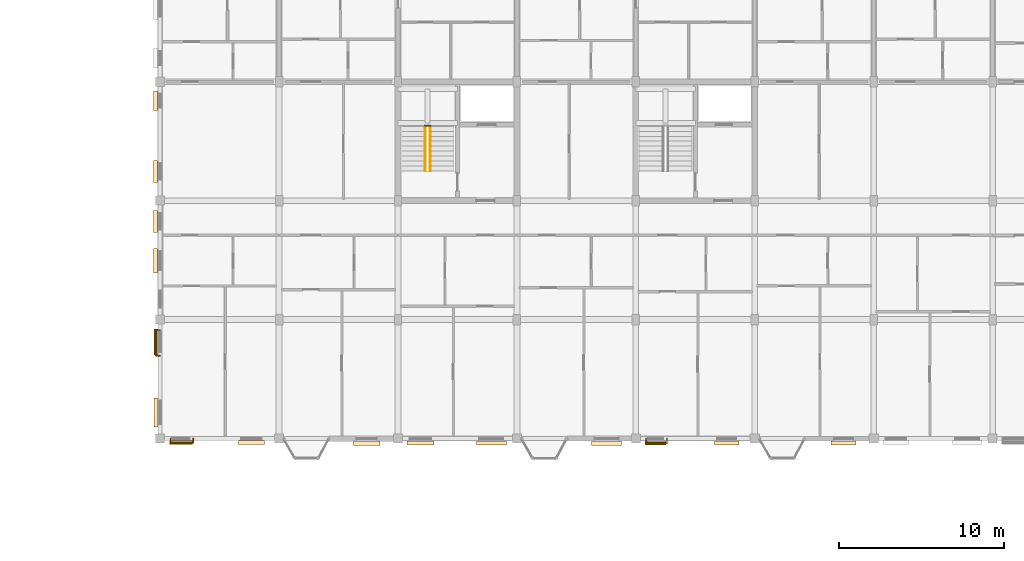
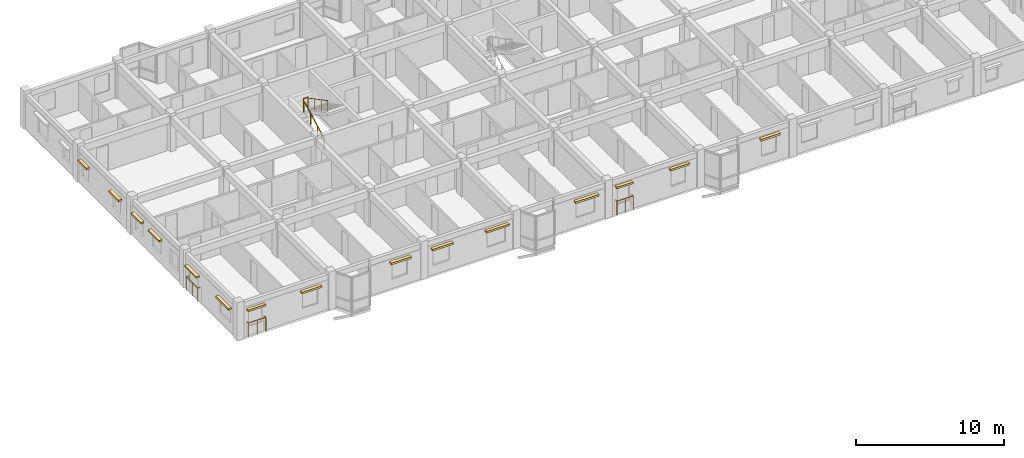
# One storey, part 72 of 75: 15 coverings, 6 railings.
"""IFC4 building model written with IfcOpenShell, lengths in metres."""

import ifcopenshell
import ifcopenshell.guid

model = None  # the IFC model being written
_history = None  # IfcOwnerHistory: only IFC2X3 demands one
_inside = {}  # id of a spatial element -> (the spatial element, [elements in it])
_under = {}  # id of a project, library or spatial element -> (it, [spatial elements below it])
_declared = {}  # id of a project -> (the project, [libraries it declares])
_typed = {}  # id of a type object -> (the type object, [elements of that type])
_made_of = {}  # id of a material, layer set ... -> (it, [elements and type objects made of it])


def new_model(schema):
    """Start an empty IFC model of exactly this schema.

    Asked for "IFC4X3", IfcOpenShell would pick the latest addendum, in which some entities
    have other attributes; the version numbers below select the first issue.
    IFC2X3 requires an IfcOwnerHistory on every rooted entity: one is made here for all.
    """
    global model, _history
    if schema == "IFC4X3":
        model = ifcopenshell.file(schema_version=(4, 3, 0, 0))
    else:
        model = ifcopenshell.file(schema=schema)
    _inside.clear()
    _under.clear()
    _declared.clear()
    _typed.clear()
    _made_of.clear()
    _history = None
    if model.schema == "IFC2X3":
        org = make("IfcOrganization", Name="unknown")
        user = make(
            "IfcPersonAndOrganization",
            ThePerson=make("IfcPerson", FamilyName="unknown"),
            TheOrganization=org,
        )
        app = make(
            "IfcApplication",
            ApplicationDeveloper=org,
            Version="unknown",
            ApplicationFullName="unknown",
            ApplicationIdentifier="unknown",
        )
        _history = make(
            "IfcOwnerHistory",
            OwningUser=user,
            OwningApplication=app,
            ChangeAction="ADDED",
            CreationDate=0,
        )
    return model


def make(cls, **values):
    """One entity of the class cls with the attributes given. An attribute that is None is left unset."""
    return model.create_entity(
        cls, **{name: value for name, value in values.items() if value is not None}
    )


def rooted(cls, **values):
    """An entity with a GlobalId (a new one), such as an element, a storey or a relation."""
    return make(cls, GlobalId=ifcopenshell.guid.new(), OwnerHistory=_history, **values)


def si_unit(unit_type, name, prefix=None):
    """IfcSIUnit, for example si_unit("LENGTHUNIT", "METRE", prefix="MILLI")."""
    return make("IfcSIUnit", UnitType=unit_type, Prefix=prefix, Name=name)


def assignment(units):
    """IfcUnitAssignment: the units of a project."""
    return None if units is None else make("IfcUnitAssignment", Units=units)


def point(xyz):
    """IfcCartesianPoint."""
    return None if xyz is None else make("IfcCartesianPoint", Coordinates=xyz)


def direction(xyz):
    """IfcDirection."""
    return None if xyz is None else make("IfcDirection", DirectionRatios=xyz)


def frame(location, z_axis=None, x_axis=None):
    """IfcAxis2Placement3D, a coordinate frame: its origin and axes. An axis left out is left unset."""
    return make(
        "IfcAxis2Placement3D",
        Location=point(location),
        Axis=direction(z_axis),
        RefDirection=direction(x_axis),
    )


def frame_2d(location, x_axis=None):
    """IfcAxis2Placement2D, a coordinate frame in the plane: its origin and x axis."""
    return make(
        "IfcAxis2Placement2D", Location=point(location), RefDirection=direction(x_axis)
    )


def origin():
    """The frame at (0, 0, 0) with its axes left unset."""
    return frame((0.0, 0.0, 0.0))


def origin_2d():
    """The frame at (0, 0) in the plane with its x axis left unset."""
    return frame_2d((0.0, 0.0))


def place(relative_to, where):
    """IfcLocalPlacement: puts the frame where relative to a parent placement (None: the world)."""
    return make(
        "IfcLocalPlacement", PlacementRelTo=relative_to, RelativePlacement=where
    )


def context(
    kind, dimensions, precision=None, world=None, true_north=None, identifier=None
):
    """IfcGeometricRepresentationContext, for example the 3D "Model" context."""
    return make(
        "IfcGeometricRepresentationContext",
        ContextIdentifier=identifier,
        ContextType=kind,
        CoordinateSpaceDimension=dimensions,
        Precision=precision,
        WorldCoordinateSystem=world,
        TrueNorth=true_north,
    )


def subcontext(parent, identifier, kind, view, scale=None):
    """IfcGeometricRepresentationSubContext, for example "Body" below "Model"."""
    return make(
        "IfcGeometricRepresentationSubContext",
        ContextIdentifier=identifier,
        ContextType=kind,
        ParentContext=parent,
        TargetScale=scale,
        TargetView=view,
    )


def project(units=None, contexts=None):
    """IfcProject with its units and contexts."""
    return rooted(
        "IfcProject",
        Name="project",
        RepresentationContexts=contexts,
        UnitsInContext=assignment(units),
    )


def spatial(cls, under=None, at=None, **own):
    """A site, building, storey or space (cls), placed at a placement, below another one or the project."""
    s = rooted(cls, ObjectPlacement=at, **own)
    if under is not None:
        _under.setdefault(under.id(), (under, []))[1].append(s)
    return s


def profile(cls, at=None, kind="AREA", **sizes):
    """A parametric profile (cls). Its sizes go by their IFC names, for example OverallWidth=200.0."""
    return make(cls, ProfileType=kind, Position=at, **sizes)


def rectangle(**sizes):
    """IfcRectangleProfileDef."""
    return profile("IfcRectangleProfileDef", **sizes)


def circle(**sizes):
    """IfcCircleProfileDef."""
    return profile("IfcCircleProfileDef", **sizes)


def extrude(swept, where, along, depth):
    """IfcExtrudedAreaSolid: the profile swept, set in the frame where, extruded along a direction by depth."""
    return make(
        "IfcExtrudedAreaSolid",
        SweptArea=swept,
        Position=where,
        ExtrudedDirection=direction(along),
        Depth=depth,
    )


def shape(context_of_items, identifier, shape_type, items):
    """IfcShapeRepresentation: the items that make up one representation, for example the "Body"."""
    return make(
        "IfcShapeRepresentation",
        ContextOfItems=context_of_items,
        RepresentationIdentifier=identifier,
        RepresentationType=shape_type,
        Items=items,
    )


def material(Name=None, Category=None):
    """IfcMaterial."""
    return make("IfcMaterial", Name=Name, Category=Category)


def layer(
    of_material, thickness, ventilated=None, Name=None, Category=None, Priority=None
):
    """IfcMaterialLayer: one layer of a wall or slab, of a material (None: an air gap)."""
    return make(
        "IfcMaterialLayer",
        Material=of_material,
        LayerThickness=thickness,
        IsVentilated=ventilated,
        Name=Name,
        Category=Category,
        Priority=Priority,
    )


def layer_set(layers, Name=None):
    """IfcMaterialLayerSet."""
    return make("IfcMaterialLayerSet", MaterialLayers=layers, LayerSetName=Name)


def made_of(thing, what):
    """Note that an element or type object is made of a material, layer set ...; save() writes the relation."""
    if what is not None:
        _made_of.setdefault(what.id(), (what, []))[1].append(thing)
    return thing


def type_object(cls, material=None, **own):
    """A type object (cls), such as IfcWallType, which elements share."""
    return made_of(rooted(cls, **own), material)


def element(
    cls,
    number,
    at=None,
    inside=None,
    cuts=None,
    type_object=None,
    material=None,
    context=None,
    identifier="Body",
    shape_type=None,
    held_by="IfcProductDefinitionShape",
    body=None,
    shapes=None,
    **own,
):
    """One element of the class cls, such as IfcWall. Its Tag is "e" and its number.

    at: its placement. inside: the storey or other place that contains it. cuts: it is an
    opening in that element (IfcRelVoidsElement). A single representation is given by context,
    identifier, shape_type and body (its items); several are given by shapes. held_by: the class
    of the entity that holds the representations. save() writes the other relations.
    """
    e = rooted(cls, Tag="e%d" % number, ObjectPlacement=at, **own)
    if body is not None:
        shapes = [shape(context, identifier, shape_type, body)]
    if shapes is not None:
        e.Representation = make(held_by, Representations=shapes)
    if inside is not None:
        _inside.setdefault(inside.id(), (inside, []))[1].append(e)
    if cuts is not None:
        rooted(
            "IfcRelVoidsElement", RelatingBuildingElement=cuts, RelatedOpeningElement=e
        )
    if type_object is not None:
        _typed.setdefault(type_object.id(), (type_object, []))[1].append(e)
    return made_of(e, material)


def aggregate(whole, parts):
    """IfcRelAggregates: a whole, such as a stair, and the parts it consists of."""
    return rooted("IfcRelAggregates", RelatingObject=whole, RelatedObjects=parts)


def save(model, path):
    """Write the relations noted so far, then the file.

    IfcRelAggregates (storeys below a building ...), IfcRelContainedInSpatialStructure (elements
    in a storey), IfcRelDefinesByType, IfcRelAssociatesMaterial and IfcRelDeclares: one each for
    every whole, place, type object, material and project.
    """
    for whole, parts in _under.values():
        aggregate(whole, parts)
    for where, things in _inside.values():
        rooted(
            "IfcRelContainedInSpatialStructure",
            RelatedElements=things,
            RelatingStructure=where,
        )
    for kind, things in _typed.values():
        rooted("IfcRelDefinesByType", RelatedObjects=things, RelatingType=kind)
    for what, things in _made_of.values():
        rooted("IfcRelAssociatesMaterial", RelatedObjects=things, RelatingMaterial=what)
    for by, libraries in _declared.values():
        rooted("IfcRelDeclares", RelatingContext=by, RelatedDefinitions=libraries)
    model.write(path)


model = new_model("IFC4")

# Units and contexts
model_context = context("Model", 3, precision=1e-05, world=origin(), true_north=direction((0.0, 1.0)))
body_context = subcontext(model_context, "Body", "Model", "MODEL_VIEW")
ifc_project = project(units=[si_unit("LENGTHUNIT", "METRE"), si_unit("AREAUNIT", "SQUARE_METRE"), si_unit("VOLUMEUNIT", "CUBIC_METRE"), si_unit("PLANEANGLEUNIT", "RADIAN"), si_unit("MASSUNIT", "GRAM", prefix="KILO"), si_unit("THERMODYNAMICTEMPERATUREUNIT", "KELVIN"), si_unit("POWERUNIT", "WATT")], contexts=[model_context])

# Site, building, storey
site_placement = place(None, origin())
site = spatial("IfcSite", under=ifc_project, at=site_placement, CompositionType="ELEMENT")
building_placement = place(site_placement, origin())
building = spatial("IfcBuilding", under=site, at=building_placement, Name="Tavuni Mirador Residences", CompositionType="ELEMENT")
storey_placement = place(building_placement, frame((0.0, 0.0, 20.25)))
storey = spatial("IfcBuildingStorey", under=building, at=storey_placement, Name="L06", CompositionType="ELEMENT", Elevation=20.25)

# Coverings
ifc_material_1 = material(Name="Natural coral limestone", Category="masonry")
ifc_layer = layer(ifc_material_1, 0.054931640625, Name="Natural coral limestone", Category="masonry")
ifc_layer_set = layer_set([ifc_layer], Name="Natural coral limestone")
covering_type = type_object("IfcCoveringType", Name="CVT-CLAD-CORAL", PredefinedType="CLADDING", material=ifc_layer_set)
covering_1_placement = place(storey_placement, frame((12.054931640625, 143.755615234375, 2.1650390625), z_axis=(0.0, 0.0, 1.0), x_axis=(1.0, 0.0, 0.0)))
element("IfcCovering", 1, at=covering_1_placement, inside=storey, type_object=covering_type, Name="HOOD-0662", PredefinedType="CLADDING", context=body_context, shape_type="SweptSolid", body=[
    extrude(rectangle(XDim=1.39990234375, YDim=0.25, at=origin_2d()), origin(), (0.0, 0.0, 1.0), 0.14990234375),
])
covering_2_placement = place(storey_placement, frame((16.3349609375, 143.755615234375, 2.1650390625), z_axis=(0.0, 0.0, 1.0), x_axis=(1.0, 0.0, 0.0)))
element("IfcCovering", 2, at=covering_2_placement, inside=storey, type_object=covering_type, Name="HOOD-0663", PredefinedType="CLADDING", context=body_context, shape_type="SweptSolid", body=[
    extrude(rectangle(XDim=1.56005859375, YDim=0.25, at=origin_2d()), origin(), (0.0, 0.0, 1.0), 0.14990234375),
])
covering_3_placement = place(storey_placement, frame((23.3076171875, 143.7080078125, 2.16015625), z_axis=(0.0, 0.0, 1.0), x_axis=(1.0, 0.0, 0.0)))
element("IfcCovering", 3, at=covering_3_placement, inside=storey, type_object=covering_type, Name="HOOD-0664", PredefinedType="CLADDING", context=body_context, shape_type="SweptSolid", body=[
    extrude(rectangle(XDim=1.580078125, YDim=0.260009765625, at=origin_2d()), origin(), (0.0, 0.0, 1.0), 0.159912109375),
])
covering_4_placement = place(storey_placement, frame((26.574951171875, 143.720458984375, 2.1650390625), z_axis=(0.0, 0.0, 1.0), x_axis=(1.0, 0.0, 0.0)))
element("IfcCovering", 4, at=covering_4_placement, inside=storey, type_object=covering_type, Name="HOOD-0665", PredefinedType="CLADDING", context=body_context, shape_type="SweptSolid", body=[
    extrude(rectangle(XDim=1.639892578125, YDim=0.25, at=origin_2d()), origin(), (0.0, 0.0, 1.0), 0.14990234375),
])
covering_5_placement = place(storey_placement, frame((30.85498046875, 143.720458984375, 2.1650390625), z_axis=(0.0, 0.0, 1.0), x_axis=(1.0, 0.0, 0.0)))
element("IfcCovering", 5, at=covering_5_placement, inside=storey, type_object=covering_type, Name="HOOD-0666", PredefinedType="CLADDING", context=body_context, shape_type="SweptSolid", body=[
    extrude(rectangle(XDim=1.800048828125, YDim=0.25, at=origin_2d()), origin(), (0.0, 0.0, 1.0), 0.14990234375),
])
covering_6_placement = place(storey_placement, frame((37.83251953125, 143.720458984375, 2.16015625), z_axis=(0.0, 0.0, 1.0), x_axis=(1.0, 0.0, 0.0)))
element("IfcCovering", 6, at=covering_6_placement, inside=storey, type_object=covering_type, Name="HOOD-0667", PredefinedType="CLADDING", context=body_context, shape_type="SweptSolid", body=[
    extrude(rectangle(XDim=1.820068359375, YDim=0.260009765625, at=origin_2d()), origin(), (0.0, 0.0, 1.0), 0.159912109375),
])
covering_7_placement = place(storey_placement, frame((40.794921875, 143.73291015625, 2.2451171875), z_axis=(0.0, 0.0, 1.0), x_axis=(1.0, 0.0, 0.0)))
element("IfcCovering", 7, at=covering_7_placement, inside=storey, type_object=covering_type, Name="HOOD-0668", PredefinedType="CLADDING", context=body_context, shape_type="SweptSolid", body=[
    extrude(rectangle(XDim=1.280029296875, YDim=0.25, at=origin_2d()), origin(), (0.0, 0.0, 1.0), 0.14990234375),
])
covering_8_placement = place(storey_placement, frame((45.10009765625, 143.73291015625, 2.2451171875), z_axis=(0.0, 0.0, 1.0), x_axis=(1.0, 0.0, 0.0)))
element("IfcCovering", 8, at=covering_8_placement, inside=storey, type_object=covering_type, Name="HOOD-0669", PredefinedType="CLADDING", context=body_context, shape_type="SweptSolid", body=[
    extrude(rectangle(XDim=1.489990234375, YDim=0.25, at=origin_2d()), origin(), (0.0, 0.0, 1.0), 0.14990234375),
])
covering_9_placement = place(storey_placement, frame((52.1826171875, 143.735595703125, 2.240234375), z_axis=(0.0, 0.0, 1.0), x_axis=(1.0, 0.0, 0.0)))
element("IfcCovering", 9, at=covering_9_placement, inside=storey, type_object=covering_type, Name="HOOD-0670", PredefinedType="CLADDING", context=body_context, shape_type="SweptSolid", body=[
    extrude(rectangle(XDim=1.510009765625, YDim=0.260009765625, at=origin_2d()), origin(), (0.0, 0.0, 1.0), 0.159912109375),
])
covering_10_placement = place(storey_placement, frame((10.5205078125, 164.449951171875, 1.955078125), z_axis=(0.0, 0.0, 1.0), x_axis=(0.0, -1.0, 0.0)))
element("IfcCovering", 10, at=covering_10_placement, inside=storey, type_object=covering_type, Name="HOOD-0703", PredefinedType="CLADDING", context=body_context, shape_type="SweptSolid", body=[
    extrude(rectangle(XDim=1.18994140625, YDim=0.25, at=origin_2d()), origin(), (0.0, 0.0, 1.0), 0.14990234375),
])
for number, where, z_axis, x_axis, name in (
    (11, (10.5205078125, 160.175048828125, 1.955078125), (0.0, 0.0, 1.0), (0.0, -1.0, 0.0), "HOOD-0704"),
    (12, (10.512939453125, 157.142578125, 1.955078125), (0.0, 0.0, 1.0), (0.0, -1.0, 0.0), "HOOD-0705"),
):
    element("IfcCovering", number, at=place(storey_placement, frame(where, z_axis=z_axis, x_axis=x_axis)), inside=storey, type_object=covering_type, Name=name, PredefinedType="CLADDING", context=body_context, shape_type="SweptSolid", body=[
        extrude(rectangle(XDim=1.340087890625, YDim=0.25, at=origin_2d()), origin(), (0.0, 0.0, 1.0), 0.14990234375),
    ])
covering_11_placement = place(storey_placement, frame((10.512939453125, 154.77001953125, 1.955078125), z_axis=(0.0, 0.0, 1.0), x_axis=(0.0, -1.0, 0.0)))
element("IfcCovering", 13, at=covering_11_placement, inside=storey, type_object=covering_type, Name="HOOD-0706", PredefinedType="CLADDING", context=body_context, shape_type="SweptSolid", body=[
    extrude(rectangle(XDim=1.5, YDim=0.25, at=origin_2d()), origin(), (0.0, 0.0, 1.0), 0.14990234375),
])
covering_12_placement = place(storey_placement, frame((10.555419921875, 149.85498046875, 1.955078125), z_axis=(0.0, 0.0, 1.0), x_axis=(0.0, -1.0, 0.0)))
element("IfcCovering", 14, at=covering_12_placement, inside=storey, type_object=covering_type, Name="HOOD-0707", PredefinedType="CLADDING", context=body_context, shape_type="SweptSolid", body=[
    extrude(rectangle(XDim=1.580078125, YDim=0.25, at=origin_2d()), origin(), (0.0, 0.0, 1.0), 0.14990234375),
])
covering_13_placement = place(storey_placement, frame((10.555419921875, 145.574951171875, 1.955078125), z_axis=(0.0, 0.0, 1.0), x_axis=(0.0, -1.0, 0.0)))
element("IfcCovering", 15, at=covering_13_placement, inside=storey, type_object=covering_type, Name="HOOD-0708", PredefinedType="CLADDING", context=body_context, shape_type="SweptSolid", body=[
    extrude(rectangle(XDim=1.739990234375, YDim=0.25, at=origin_2d()), origin(), (0.0, 0.0, 1.0), 0.14990234375),
])

# Railings
ifc_material_2 = material(Name="Structural steel S355", Category="steel")
railing_type_1 = type_object("IfcRailingType", Name="RT-BL1150", PredefinedType="BALUSTRADE", material=ifc_material_2)
railing_1_placement = place(storey_placement, frame((11.425048828125, 144.0, 0.0400390625)))
element("IfcRailing", 16, at=railing_1_placement, inside=storey, type_object=railing_type_1, Name="BALC-BLK-C-L06-S00", PredefinedType="BALUSTRADE", context=body_context, shape_type="SweptSolid", body=[
    extrude(circle(Radius=0.02392578125, at=origin_2d()), frame((0.0, 0.0, 1.1259765625), z_axis=(0.0, -1.0, 0.0), x_axis=(1.0, 0.0, 0.0)), (0.0, 0.0, 1.0), 0.262451171875),
    extrude(circle(Radius=0.02392578125, at=origin_2d()), frame((0.0, -0.262451171875, 1.1259765625), z_axis=(1.0, 0.0, 0.0), x_axis=(0.0, 1.0, 0.0)), (0.0, 0.0, 1.0), 1.3798828125),
    extrude(circle(Radius=0.02392578125, at=origin_2d()), frame((1.3798828125, -0.262451171875, 1.1259765625), z_axis=(0.0, 1.0, 0.0), x_axis=(-1.0, 0.0, 0.0)), (0.0, 0.0, 1.0), 0.262451171875),
    extrude(circle(Radius=0.02099609375, at=origin_2d()), origin(), (0.0, 0.0, 1.0), 1.101806640625),
    extrude(circle(Radius=0.02099609375, at=origin_2d()), frame((0.0, -0.262451171875, 0.0)), (0.0, 0.0, 1.0), 1.101806640625),
    extrude(circle(Radius=0.02099609375, at=origin_2d()), frame((0.68994140625, -0.262451171875, 0.0)), (0.0, 0.0, 1.0), 1.101806640625),
    extrude(circle(Radius=0.02099609375, at=origin_2d()), frame((1.3798828125, -0.262451171875, 0.0)), (0.0, 0.0, 1.0), 1.101806640625),
    extrude(circle(Radius=0.02099609375, at=origin_2d()), frame((1.3798828125, 0.0, 0.0)), (0.0, 0.0, 1.0), 1.101806640625),
])
railing_2_placement = place(storey_placement, frame((40.22509765625, 144.0, 0.0400390625)))
element("IfcRailing", 17, at=railing_2_placement, inside=storey, type_object=railing_type_1, Name="BALC-BLK-C-L06-S04", PredefinedType="BALUSTRADE", context=body_context, shape_type="SweptSolid", body=[
    extrude(circle(Radius=0.02392578125, at=origin_2d()), frame((0.0, 0.0, 1.1259765625), z_axis=(0.0, -1.0, 0.0), x_axis=(1.0, 0.0, 0.0)), (0.0, 0.0, 1.0), 0.284912109375),
    extrude(circle(Radius=0.02392578125, at=origin_2d()), frame((0.0, -0.284912109375, 1.1259765625), z_axis=(1.0, 0.0, 0.0), x_axis=(0.0, 1.0, 0.0)), (0.0, 0.0, 1.0), 1.260009765625),
    extrude(circle(Radius=0.02392578125, at=origin_2d()), frame((1.260009765625, -0.284912109375, 1.1259765625), z_axis=(0.0, 1.0, 0.0), x_axis=(-1.0, 0.0, 0.0)), (0.0, 0.0, 1.0), 0.284912109375),
    extrude(circle(Radius=0.02099609375, at=origin_2d()), origin(), (0.0, 0.0, 1.0), 1.101806640625),
    extrude(circle(Radius=0.02099609375, at=origin_2d()), frame((0.0, -0.284912109375, 0.0)), (0.0, 0.0, 1.0), 1.101806640625),
    extrude(circle(Radius=0.02099609375, at=origin_2d()), frame((0.6298828125, -0.284912109375, 0.0)), (0.0, 0.0, 1.0), 1.101806640625),
    extrude(circle(Radius=0.02099609375, at=origin_2d()), frame((1.260009765625, -0.284912109375, 0.0)), (0.0, 0.0, 1.0), 1.101806640625),
    extrude(circle(Radius=0.02099609375, at=origin_2d()), frame((1.260009765625, 0.0, 0.0)), (0.0, 0.0, 1.0), 1.101806640625),
])
railing_3_placement = place(storey_placement, frame((10.800048828125, 150.574951171875, 0.0400390625)))
element("IfcRailing", 18, at=railing_3_placement, inside=storey, type_object=railing_type_1, Name="BALC-BLK-C-L06-W00", PredefinedType="BALUSTRADE", context=body_context, shape_type="SweptSolid", body=[
    extrude(circle(Radius=0.02392578125, at=origin_2d()), frame((0.0, 0.0, 1.1259765625), z_axis=(-1.0, 0.0, 0.0), x_axis=(0.0, -1.0, 0.0)), (0.0, 0.0, 1.0), 0.262451171875),
    extrude(circle(Radius=0.02392578125, at=origin_2d()), frame((-0.262451171875, 0.0, 1.1259765625), z_axis=(0.0, -1.0, 0.0), x_axis=(1.0, 0.0, 0.0)), (0.0, 0.0, 1.0), 1.56005859375),
    extrude(circle(Radius=0.02392578125, at=origin_2d()), frame((-0.262451171875, -1.56005859375, 1.1259765625), z_axis=(1.0, 0.0, 0.0), x_axis=(0.0, 1.0, 0.0)), (0.0, 0.0, 1.0), 0.262451171875),
    extrude(circle(Radius=0.02099609375, at=origin_2d()), origin(), (0.0, 0.0, 1.0), 1.101806640625),
    extrude(circle(Radius=0.02099609375, at=origin_2d()), frame((-0.262451171875, 0.0, 0.0)), (0.0, 0.0, 1.0), 1.101806640625),
    extrude(circle(Radius=0.02099609375, at=origin_2d()), frame((-0.262451171875, -0.780029296875, 0.0)), (0.0, 0.0, 1.0), 1.101806640625),
    extrude(circle(Radius=0.02099609375, at=origin_2d()), frame((-0.262451171875, -1.56005859375, 0.0)), (0.0, 0.0, 1.0), 1.101806640625),
    extrude(circle(Radius=0.02099609375, at=origin_2d()), frame((0.0, -1.56005859375, 0.0)), (0.0, 0.0, 1.0), 1.101806640625),
])
railing_type_2 = type_object("IfcRailingType", Name="RT-GR1120", PredefinedType="GUARDRAIL", material=ifc_material_2)
railing_4_placement = place(storey_placement, frame((26.820068359375, 162.93994140625, 1.574951171875)))
element("IfcRailing", 19, at=railing_4_placement, inside=storey, type_object=railing_type_2, Name="GRD-HL-ST5-L06", PredefinedType="GUARDRAIL", context=body_context, shape_type="SweptSolid", body=[
    extrude(circle(Radius=0.02392578125, at=origin_2d()), frame((0.0, 0.0, 1.09619140625), z_axis=(1.0, 0.0, 0.0), x_axis=(0.0, 1.0, 0.0)), (0.0, 0.0, 1.0), 0.35986328125),
    extrude(circle(Radius=0.02099609375, at=origin_2d()), origin(), (0.0, 0.0, 1.0), 1.072021484375),
    extrude(circle(Radius=0.02099609375, at=origin_2d()), frame((0.35986328125, 0.0, 0.0)), (0.0, 0.0, 1.0), 1.072021484375),
])
railing_type_3 = type_object("IfcRailingType", Name="RT-HR920", PredefinedType="HANDRAIL", material=ifc_material_2)
railing_5_placement = place(storey_placement, frame((26.85009765625, 160.199951171875, 0.157470703125)))
element("IfcRailing", 20, at=railing_5_placement, inside=storey, type_object=railing_type_3, Name="HR-ST5-L06-F1", PredefinedType="HANDRAIL", context=body_context, shape_type="SweptSolid", body=[
    extrude(circle(Radius=0.02392578125, at=origin_2d()), frame((0.0, 0.0, 0.89599609375), z_axis=(0.0, 0.885397079081, 0.464835468048), x_axis=(-1.0, 0.0, 0.0)), (0.0, 0.0, 1.0), 3.04931640625),
    extrude(circle(Radius=0.02099609375, at=origin_2d()), origin(), (0.0, 0.0, 1.0), 0.871826171875),
    extrude(circle(Radius=0.02099609375, at=origin_2d()), frame((0.0, 0.89990234375, 0.472412109375)), (0.0, 0.0, 1.0), 0.871826171875),
    extrude(circle(Radius=0.02099609375, at=origin_2d()), frame((0.0, 1.800048828125, 0.945068359375)), (0.0, 0.0, 1.0), 0.871826171875),
    extrude(circle(Radius=0.02099609375, at=origin_2d()), frame((0.0, 2.699951171875, 1.41748046875)), (0.0, 0.0, 1.0), 0.871826171875),
])
railing_6_placement = place(storey_placement, frame((27.14990234375, 162.89990234375, 1.732421875)))
element("IfcRailing", 21, at=railing_6_placement, inside=storey, type_object=railing_type_3, Name="HR-ST5-L06-F2", PredefinedType="HANDRAIL", context=body_context, shape_type="SweptSolid", body=[
    extrude(circle(Radius=0.02392578125, at=origin_2d()), frame((0.0, 0.0, 0.89599609375), z_axis=(0.0, -0.885397079081, 0.464835468048), x_axis=(1.0, 0.0, 0.0)), (0.0, 0.0, 1.0), 3.04931640625),
    extrude(circle(Radius=0.02099609375, at=origin_2d()), origin(), (0.0, 0.0, 1.0), 0.871826171875),
    extrude(circle(Radius=0.02099609375, at=origin_2d()), frame((0.0, -0.89990234375, 0.472412109375)), (0.0, 0.0, 1.0), 0.871826171875),
    extrude(circle(Radius=0.02099609375, at=origin_2d()), frame((0.0, -1.800048828125, 0.945068359375)), (0.0, 0.0, 1.0), 0.871826171875),
    extrude(circle(Radius=0.02099609375, at=origin_2d()), frame((0.0, -2.699951171875, 1.41748046875)), (0.0, 0.0, 1.0), 0.871826171875),
])

save(model, "model.ifc")
